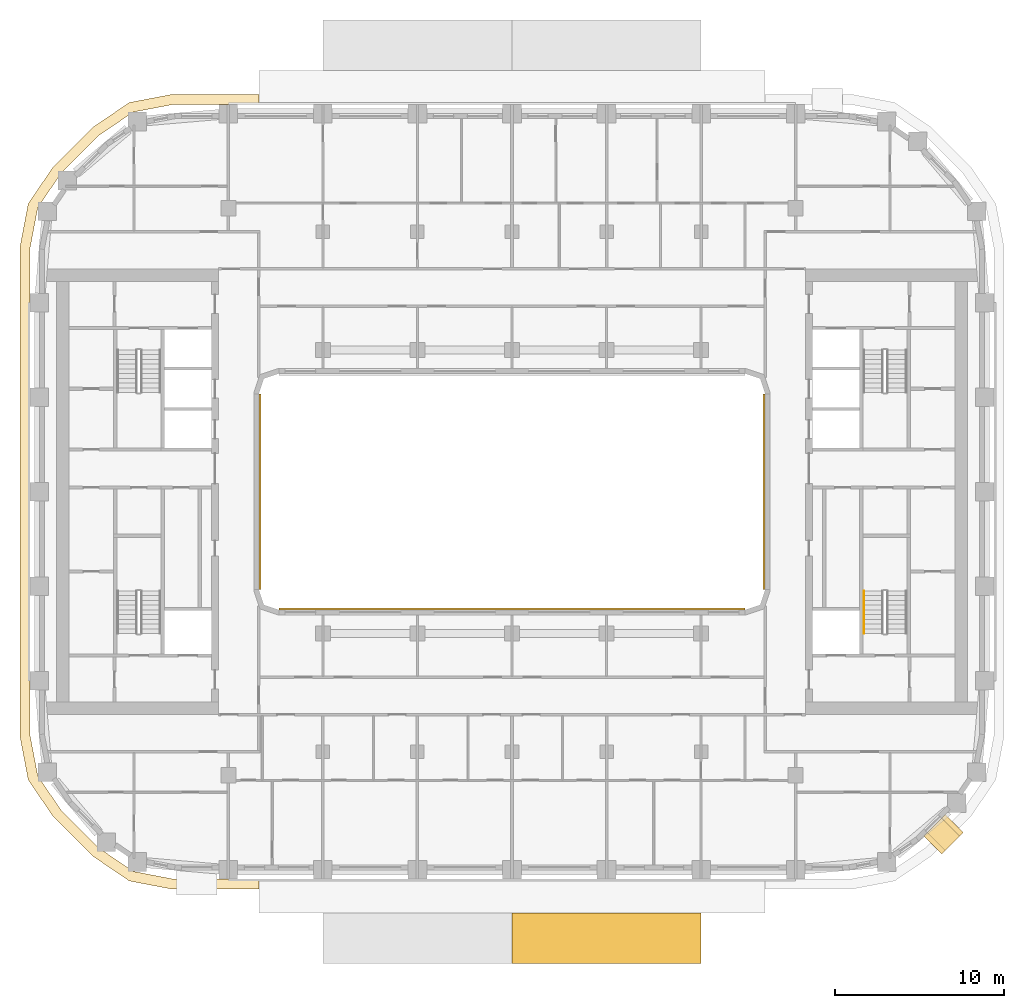
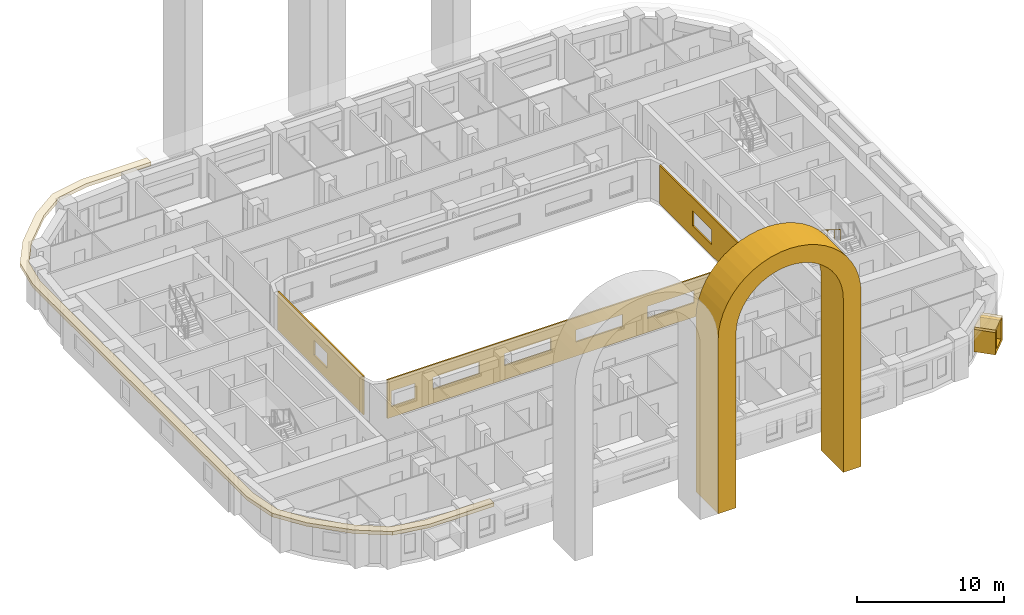
# One storey, part 13 of 18: 7 coverings, 1 railing.
"""IFC4 building model written with IfcOpenShell, lengths in metres."""

from ifc_helpers import new_model, si_unit, direction, frame, origin, origin_2d, place, context, subcontext, project, spatial, polyline, rectangle, circle, outline, extrude, material, layer, layer_set, type_object, element, save


model = new_model("IFC4")

# Units and contexts
model_context = context("Model", 3, precision=1e-05, world=origin(), true_north=direction((0.0, 1.0)))
body_context = subcontext(model_context, "Body", "Model", "MODEL_VIEW")
ifc_project = project(units=[si_unit("LENGTHUNIT", "METRE"), si_unit("AREAUNIT", "SQUARE_METRE"), si_unit("VOLUMEUNIT", "CUBIC_METRE"), si_unit("PLANEANGLEUNIT", "RADIAN"), si_unit("MASSUNIT", "GRAM", prefix="KILO")], contexts=[model_context])

# Site, building, storey
site_placement = place(None, origin())
site = spatial("IfcSite", under=ifc_project, at=site_placement, CompositionType="ELEMENT")
building_placement = place(site_placement, origin())
building = spatial("IfcBuilding", under=site, at=building_placement, Name="Kiln Ring Residences", CompositionType="ELEMENT")
storey_placement = place(building_placement, frame((0.0, 0.0, 157.10009765625)))
storey = spatial("IfcBuildingStorey", under=building, at=storey_placement, Name="L40", CompositionType="ELEMENT", Elevation=157.10009765625)

# Covering
ifc_material_1 = material(Name="Brick masonry, dark clay brick", Category="masonry")
ifc_layer_1 = layer(ifc_material_1, 1.39990234375)
ifc_layer_set_1 = layer_set([ifc_layer_1], Name="ARCH SURROUND 3000")
covering_type_1 = type_object("IfcCoveringType", Name="ARCH SURROUND 3000", PredefinedType="CLADDING", material=ifc_layer_set_1)
covering_1_placement = place(storey_placement, frame((11.199951171875, -26.449951171875, 0.0), z_axis=(0.0, 0.0, 1.0), x_axis=(-1.0, 0.0, 0.0)))
element("IfcCovering", 1, at=covering_1_placement, inside=storey, type_object=covering_type_1, Name="ARCH SURROUND Z3 S2.2", PredefinedType="CLADDING", context=body_context, shape_type="SweptSolid", body=[
    extrude(outline(polyline([(11.199951171875, 0.0), (11.199951171875, 14.39990234375), (11.152099609375, 15.130859375), (11.00927734375, 15.849365234375), (10.773681640625, 16.54296875), (10.44970703125, 17.199951171875), (10.042724609375, 17.80908203125), (9.559814453125, 18.359619140625), (9.009033203125, 18.8427734375), (8.39990234375, 19.24951171875), (7.742919921875, 19.573486328125), (7.04931640625, 19.80908203125), (6.330810546875, 19.951904296875), (5.60009765625, 20.0), (4.869140625, 19.951904296875), (4.150634765625, 19.80908203125), (3.45703125, 19.573486328125), (2.800048828125, 19.24951171875), (2.19091796875, 18.8427734375), (1.64013671875, 18.359619140625), (1.1572265625, 17.80908203125), (0.750244140625, 17.199951171875), (0.42626953125, 16.54296875), (0.19091796875, 15.849365234375), (0.0478515625, 15.130859375), (0.0, 14.39990234375), (0.0, 0.0), (1.39990234375, 0.0), (1.39990234375, 14.39990234375), (1.435791015625, 14.947998046875), (1.543212890625, 15.48681640625), (1.7197265625, 16.00732421875), (1.962646484375, 16.5), (2.267822265625, 16.956787109375), (2.630126953125, 17.36962890625), (3.043212890625, 17.73193359375), (3.5, 18.037109375), (3.99267578125, 18.2802734375), (4.512939453125, 18.456787109375), (5.0517578125, 18.56396484375), (5.60009765625, 18.599853515625), (6.148193359375, 18.56396484375), (6.68701171875, 18.456787109375), (7.207275390625, 18.2802734375), (7.699951171875, 18.037109375), (8.15673828125, 17.73193359375), (8.56982421875, 17.36962890625), (8.93212890625, 16.956787109375), (9.2373046875, 16.5), (9.480224609375, 16.00732421875), (9.656982421875, 15.48681640625), (9.76416015625, 14.947998046875), (9.800048828125, 14.39990234375), (9.800048828125, 0.0), (11.199951171875, 0.0)])), frame((0.0, 1.5, 0.0), z_axis=(0.0, -1.0, 0.0), x_axis=(1.0, 0.0, 0.0)), (0.0, 0.0, 1.0), 3.0),
])

# Railing
ifc_material_2 = material(Name="Stainless steel", Category="steel")
railing_type = type_object("IfcRailingType", Name="CORE-STAIR-HANDRAIL", PredefinedType="HANDRAIL", material=ifc_material_2)
railing_placement = place(storey_placement, frame((20.85009765625, -5.8798828125, 1.9248046875)))
element("IfcRailing", 2, at=railing_placement, inside=storey, type_object=railing_type, Name="L40 E-STS stair handrail 2", PredefinedType="HANDRAIL", context=body_context, shape_type="SweptSolid", body=[
    extrude(circle(Radius=0.02392578125, at=origin_2d()), frame((0.0, 0.0, 0.8759765625), z_axis=(0.0, -0.847970611238, 0.530043245855), x_axis=(1.0, 0.0, 0.0)), (0.0, 0.0, 1.0), 2.971923828125),
    extrude(circle(Radius=0.02099609375, at=origin_2d()), origin(), (0.0, 0.0, 1.0), 0.851806640625),
    extrude(circle(Radius=0.02099609375, at=origin_2d()), frame((0.0, -0.840087890625, 0.525146484375)), (0.0, 0.0, 1.0), 0.851806640625),
    extrude(circle(Radius=0.02099609375, at=origin_2d()), frame((0.0, -1.679931640625, 1.050048828125)), (0.0, 0.0, 1.0), 0.851806640625),
    extrude(circle(Radius=0.02099609375, at=origin_2d()), frame((0.0, -2.52001953125, 1.5751953125)), (0.0, 0.0, 1.0), 0.851806640625),
])

# Coverings
ifc_material_3 = material(Name="Brick masonry, dark clay brick", Category="masonry")
ifc_layer_2 = layer(ifc_material_3, 0.300048828125)
ifc_layer_set_2 = layer_set([ifc_layer_2], Name="FRAME CHEEKS AND SILL 1500")
covering_type_2 = type_object("IfcCoveringType", Name="FRAME CHEEKS AND SILL 1500", PredefinedType="CLADDING", material=ifc_layer_set_2)
covering_2_placement = place(storey_placement, frame((24.927978515625, -20.932861328125, 0.2998046875), z_axis=(0.0, 0.0, 1.0), x_axis=(0.707038962956, 0.707174592913, 0.0)))
element("IfcCovering", 3, at=covering_2_placement, inside=storey, type_object=covering_type_2, Name="FRAME L40", PredefinedType="CLADDING", context=body_context, shape_type="SweptSolid", body=[
    extrude(outline(polyline([(0.0, 0.0), (1.800048828125, 0.0), (1.800048828125, 1.85009765625), (1.5009765625, 1.85009765625), (1.5, 0.300048828125), (0.300048828125, 0.300048828125), (0.299072265625, 1.85009765625), (0.0, 1.85009765625), (0.0, 0.0)])), frame((0.0, 0.75, 0.0), z_axis=(0.0, -1.0, 0.0), x_axis=(1.0, 0.0, 0.0)), (0.0, 0.0, 1.0), 1.5),
])
ifc_material_4 = material(Name="Brick masonry, dark clay brick", Category="masonry")
ifc_layer_3 = layer(ifc_material_4, 0.199951171875)
ifc_layer_set_3 = layer_set([ifc_layer_3], Name="FRAME HEAD 1500")
covering_type_3 = type_object("IfcCoveringType", Name="FRAME HEAD 1500", PredefinedType="CLADDING", material=ifc_layer_set_3)
covering_3_placement = place(storey_placement, frame((25.564208984375, -20.29638671875, 2.14990234375), z_axis=(0.0, 0.0, 1.0), x_axis=(0.707106781187, 0.707106781187, 0.0)))
element("IfcCovering", 4, at=covering_3_placement, inside=storey, type_object=covering_type_3, Name="FRAME HEAD L40", PredefinedType="CLADDING", context=body_context, shape_type="SweptSolid", body=[
    extrude(rectangle(XDim=1.800048828125, YDim=1.5, at=origin_2d()), origin(), (0.0, 0.0, 1.0), 0.199951171875),
])
ifc_material_5 = material(Name="Brick masonry, dark clay brick", Category="masonry")
ifc_layer_4 = layer(ifc_material_5, 0.1201171875)
ifc_layer_set_4 = layer_set([ifc_layer_4], Name="RAINSCREEN PANEL 120")
covering_type_4 = type_object("IfcCoveringType", Name="RAINSCREEN PANEL 120", PredefinedType="CLADDING", material=ifc_layer_set_4)
covering_4_placement = place(storey_placement, frame((-14.93994140625, -5.800048828125, 0.0), z_axis=(0.0, 0.0, 1.0), x_axis=(0.0, 1.0, 0.0)))
element("IfcCovering", 5, at=covering_4_placement, inside=storey, type_object=covering_type_4, Name="RAINSCREEN L40", PredefinedType="CLADDING", context=body_context, shape_type="SweptSolid", body=[
    extrude(outline(polyline([(0.0, 0.0), (11.60009765625, 0.0), (11.60009765625, 3.199951171875), (0.0, 3.199951171875), (0.0, 0.0)]), holes=[polyline([(4.89990234375, 2.14990234375), (4.89990234375, 0.89990234375), (6.699951171875, 0.89990234375), (6.699951171875, 2.14990234375), (4.89990234375, 2.14990234375)])]), frame((0.0, 0.06005859375, 0.0), z_axis=(0.0, -1.0, 0.0), x_axis=(1.0, 0.0, 0.0)), (0.0, 0.0, 1.0), 0.1201171875),
])
covering_5_placement = place(storey_placement, frame((14.93994140625, 5.800048828125, 0.0), z_axis=(0.0, 0.0, 1.0), x_axis=(0.0, -1.0, 0.0)))
element("IfcCovering", 6, at=covering_5_placement, inside=storey, type_object=covering_type_4, Name="RAINSCREEN L40", PredefinedType="CLADDING", context=body_context, shape_type="SweptSolid", body=[
    extrude(outline(polyline([(0.0, 0.0), (11.60009765625, 0.0), (11.60009765625, 3.199951171875), (0.0, 3.199951171875), (0.0, 0.0)]), holes=[polyline([(4.5, 2.14990234375), (4.5, 0.89990234375), (7.10009765625, 0.89990234375), (7.10009765625, 2.14990234375), (4.5, 2.14990234375)])]), frame((0.0, 0.06005859375, 0.0), z_axis=(0.0, -1.0, 0.0), x_axis=(1.0, 0.0, 0.0)), (0.0, 0.0, 1.0), 0.1201171875),
])
covering_6_placement = place(storey_placement, frame((13.800048828125, -6.93994140625, 0.0), z_axis=(0.0, 0.0, 1.0), x_axis=(-1.0, 0.0, 0.0)))
element("IfcCovering", 7, at=covering_6_placement, inside=storey, type_object=covering_type_4, Name="RAINSCREEN L40", PredefinedType="CLADDING", context=body_context, shape_type="SweptSolid", body=[
    extrude(outline(polyline([(0.0, 0.0), (27.60009765625, 0.0), (27.60009765625, 3.199951171875), (0.0, 3.199951171875), (0.0, 0.0)]), holes=[polyline([(2.1826171875, 0.8798828125), (2.1826171875, 2.169921875), (0.342529296875, 2.169921875), (0.342529296875, 0.8798828125), (2.1826171875, 0.8798828125)]), polyline([(25.41748046875, 0.8798828125), (27.257568359375, 0.8798828125), (27.257568359375, 2.169921875), (25.41748046875, 2.169921875), (25.41748046875, 0.8798828125)]), polyline([(3.580078125, 1.179931640625), (7.219970703125, 1.179931640625), (7.219970703125, 2.169921875), (3.580078125, 2.169921875), (3.580078125, 1.179931640625)]), polyline([(12.820068359375, 1.179931640625), (12.820068359375, 2.169921875), (9.179931640625, 2.169921875), (9.179931640625, 1.179931640625), (12.820068359375, 1.179931640625)]), polyline([(14.780029296875, 1.179931640625), (18.419921875, 1.179931640625), (18.419921875, 2.169921875), (14.780029296875, 2.169921875), (14.780029296875, 1.179931640625)]), polyline([(20.3798828125, 1.179931640625), (24.02001953125, 1.179931640625), (24.02001953125, 2.169921875), (20.3798828125, 2.169921875), (20.3798828125, 1.179931640625)])]), frame((0.0, 0.06005859375, 0.0), z_axis=(0.0, -1.0, 0.0), x_axis=(1.0, 0.0, 0.0)), (0.0, 0.0, 1.0), 0.1201171875),
])
ifc_material_6 = material(Name="Black powder-coated steel", Category="steel")
ifc_layer_5 = layer(ifc_material_6, 0.300048828125)
ifc_layer_set_5 = layer_set([ifc_layer_5], Name="SUNSHADE FIN 600")
covering_type_5 = type_object("IfcCoveringType", Name="SUNSHADE FIN 600", PredefinedType="CLADDING", material=ifc_layer_set_5)
covering_7_placement = place(storey_placement, frame((0.0, 0.0, 3.199951171875)))
element("IfcCovering", 8, at=covering_7_placement, inside=storey, type_object=covering_type_5, Name="SUNSHADE FIN L40", PredefinedType="CLADDING", context=body_context, shape_type="SweptSolid", body=[
    extrude(outline(polyline([(-29.14990234375, -14.5087890625), (-28.66064453125, -17.07373046875), (-27.193115234375, -19.2333984375), (-24.83349609375, -21.593017578125), (-22.673583984375, -23.060791015625), (-20.108642578125, -23.550048828125), (-15.0, -23.550048828125), (-15.0, -22.949951171875), (-20.052001953125, -22.949951171875), (-22.439208984375, -22.49462890625), (-24.44921875, -21.128662109375), (-26.728515625, -18.84912109375), (-28.0947265625, -16.839111328125), (-28.550048828125, -14.451904296875), (-28.550048828125, 14.451904296875), (-28.0947265625, 16.839111328125), (-26.728515625, 18.84912109375), (-24.44921875, 21.128662109375), (-22.439208984375, 22.49462890625), (-20.052001953125, 22.949951171875), (-15.0, 22.949951171875), (-15.0, 23.550048828125), (-20.108642578125, 23.550048828125), (-22.673583984375, 23.060791015625), (-24.83349609375, 21.593017578125), (-27.193115234375, 19.2333984375), (-28.66064453125, 17.07373046875), (-29.14990234375, 14.5087890625), (-29.14990234375, -14.5087890625)])), origin(), (0.0, 0.0, 1.0), 0.300048828125),
])

save(model, "model.ifc")
